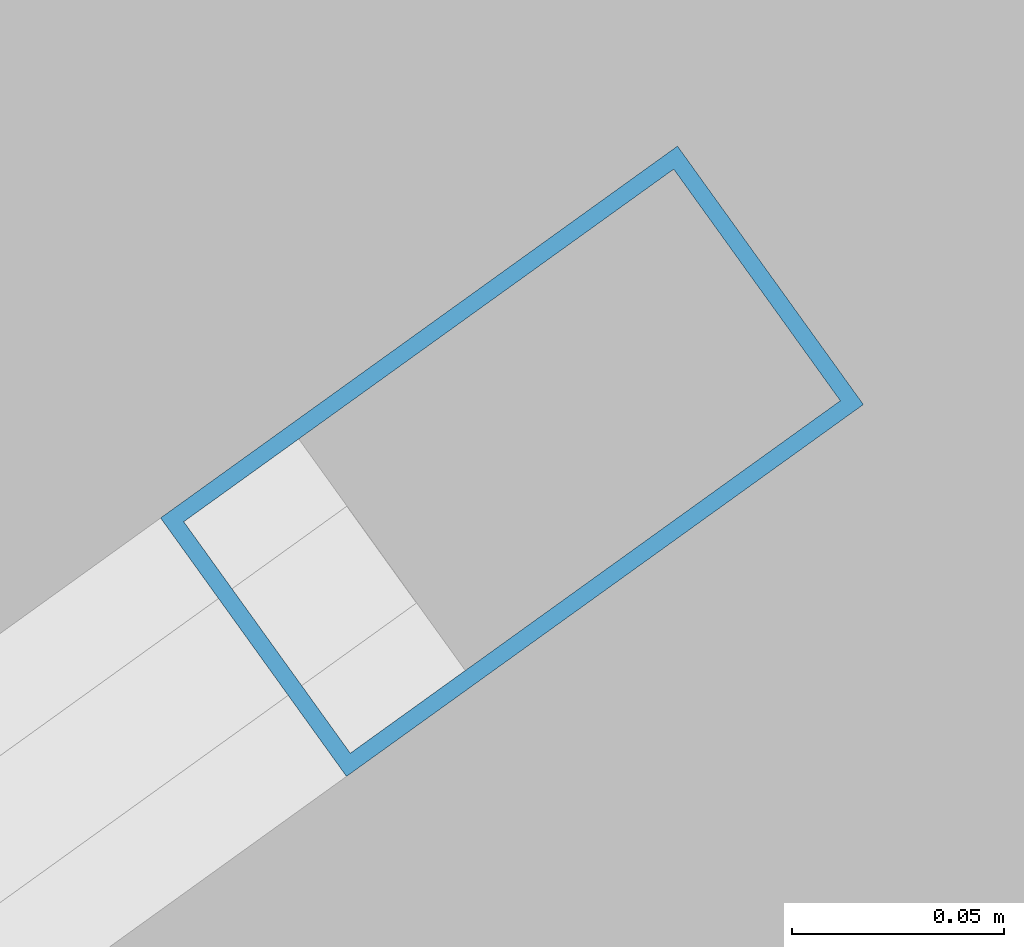
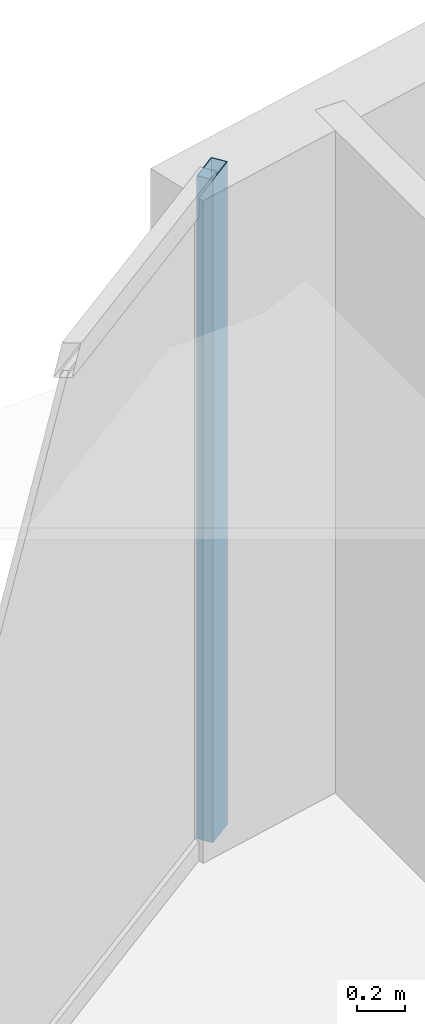
# One storey, part 19 of 30: 1 member, 1 element without a shape of its own.
"""IFC4 building model written with IfcOpenShell, lengths in metres."""

from ifc_helpers import new_model, si_unit, direction, frame, origin, origin_2d, place, context, subcontext, project, spatial, hollow_rectangle, extrude, material, layer, layer_set, material_profile, profile_set, type_object, element, aggregate, save


model = new_model("IFC4")

# Units and contexts
model_context = context("Model", 3, precision=1e-05, world=origin(), true_north=direction((0.0, 1.0)))
body_context = subcontext(model_context, "Body", "Model", "MODEL_VIEW")
ifc_project = project(units=[si_unit("LENGTHUNIT", "METRE"), si_unit("AREAUNIT", "SQUARE_METRE"), si_unit("VOLUMEUNIT", "CUBIC_METRE"), si_unit("PLANEANGLEUNIT", "RADIAN"), si_unit("MASSUNIT", "GRAM", prefix="KILO")], contexts=[model_context])

# Site, building, storey
site_placement = place(None, origin())
site = spatial("IfcSite", under=ifc_project, at=site_placement, CompositionType="ELEMENT")
building_placement = place(site_placement, origin())
building = spatial("IfcBuilding", under=site, at=building_placement, Name="Kazevale Care Tower and Concert Hall", CompositionType="ELEMENT")
storey_placement = place(building_placement, frame((0.0, 0.0, 74.39990234375)))
storey = spatial("IfcBuildingStorey", under=building, at=storey_placement, Name="L19", CompositionType="ELEMENT", Elevation=74.39990234375)

# Curtain wall, member
ifc_material_1 = material(Name="Aluminium 6063-T6 and Low-E Glass", Category="aluminium")
ifc_layer = layer(ifc_material_1, 0.179931640625)
ifc_layer_set = layer_set([ifc_layer], Name="Aluminium 6063-T6 and Low-E Glass")
curtain_wall_type = type_object("IfcCurtainWallType", Name="Convex Recessed Sunroom Curtain Wall CW-3", PredefinedType="NOTDEFINED", material=ifc_layer_set)
curtain_wall_placement = place(storey_placement, origin())
curtain_wall = element("IfcCurtainWall", 1, at=curtain_wall_placement, inside=storey, type_object=curtain_wall_type, Name="cw:L19:f14", PredefinedType="NOTDEFINED")
ifc_material_2 = material(Name="Aluminium 6063-T6", Category="aluminium")
ifc_material_profile = material_profile(ifc_material_2, hollow_rectangle(XDim=0.074951171875, YDim=0.14990234375, WallThickness=0.00390625, at=origin_2d()), Name="ALU75x150x4")
ifc_profile_set = profile_set([ifc_material_profile], Name="Aluminium 6063-T6")
member_type = type_object("IfcMemberType", Name="CW-3 Mullion ALU75x150x4", PredefinedType="MULLION", material=ifc_profile_set)
member_placement = place(storey_placement, frame((27.34765625, 60.153076171875, 0.0), z_axis=(0.0, 0.0, 1.0), x_axis=(-0.583994227391, 0.811757810171, 0.0)))
member = element("IfcMember", 2, at=member_placement, type_object=member_type, Name="CW-3 mullion 2", PredefinedType="MULLION", context=body_context, shape_type="SweptSolid", body=[
    extrude(hollow_rectangle(XDim=0.074951171875, YDim=0.14990234375, WallThickness=0.00390625, at=origin_2d()), origin(), (0.0, 0.0, 1.0), 3.360107421875),
])
aggregate(curtain_wall, [member])

save(model, "model.ifc")
